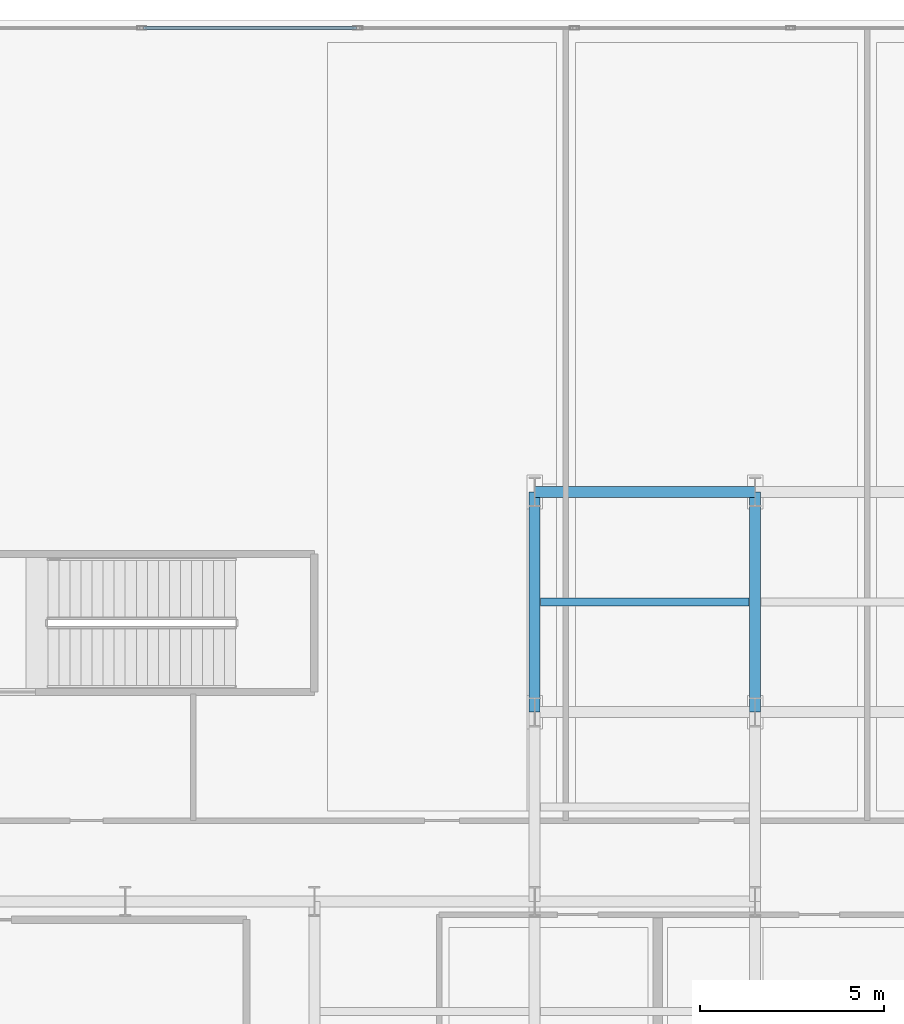
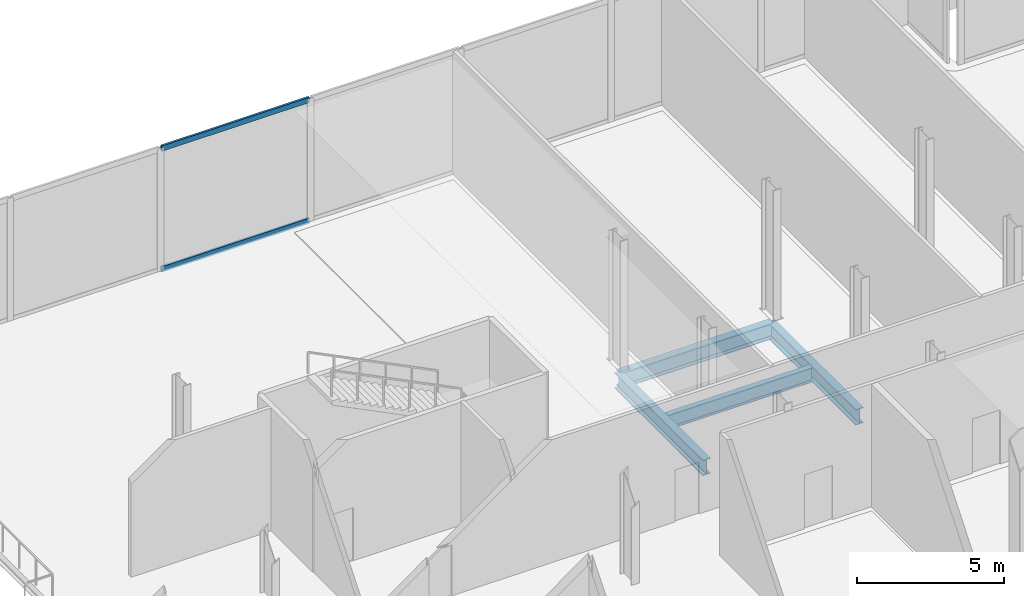
# One storey, part 16 of 28: 4 beams, 2 members, 1 element without a shape of its own.
"""IFC4 building model written with IfcOpenShell, lengths in metres."""

from ifc_helpers import new_model, si_unit, direction, frame, origin, origin_2d, place, context, subcontext, project, spatial, hollow_rectangle, i_section, extrude, material, layer, layer_set, material_profile, profile_set, type_object, element, aggregate, save


model = new_model("IFC4")

# Units and contexts
model_context = context("Model", 3, precision=1e-05, world=origin(), true_north=direction((0.0, 1.0)))
body_context = subcontext(model_context, "Body", "Model", "MODEL_VIEW")
ifc_project = project(units=[si_unit("LENGTHUNIT", "METRE"), si_unit("AREAUNIT", "SQUARE_METRE"), si_unit("VOLUMEUNIT", "CUBIC_METRE"), si_unit("PLANEANGLEUNIT", "RADIAN"), si_unit("MASSUNIT", "GRAM", prefix="KILO"), si_unit("THERMODYNAMICTEMPERATUREUNIT", "KELVIN"), si_unit("POWERUNIT", "WATT")], contexts=[model_context])

# Site, building, storey
site_placement = place(None, origin())
site = spatial("IfcSite", under=ifc_project, at=site_placement, CompositionType="ELEMENT")
building_placement = place(site_placement, origin())
building = spatial("IfcBuilding", under=site, at=building_placement, Name="Svarakhadi Broadcast Tower", CompositionType="ELEMENT")
storey_placement = place(building_placement, frame((0.0, 0.0, 11.10009765625)))
storey = spatial("IfcBuildingStorey", under=building, at=storey_placement, Name="L02", CompositionType="ELEMENT", Elevation=11.10009765625)

# Beam
ifc_material_1 = material(Name="Steel S355J2 (IS 2062 E350C)", Category="steel")
ifc_material_profile_1 = material_profile(ifc_material_1, i_section(OverallWidth=0.219970703125, OverallDepth=0.60009765625, WebThickness=0.011962890625, FlangeThickness=0.01904296875, FilletRadius=0.02392578125, at=origin_2d()), Name="NPB 600x220x122")
ifc_profile_set_1 = profile_set([ifc_material_profile_1], Name="Steel S355J2 (IS 2062 E350C)")
beam_type_1 = type_object("IfcBeamType", Name="Beam_NPB600", PredefinedType="BEAM", material=ifc_profile_set_1)
beam_placement = place(storey_placement, frame((41.31005859375, 32.14990234375, -0.5751953125), z_axis=(1.0, 0.0, 0.0), x_axis=(0.0, 1.0, 0.0)))
element("IfcBeam", 1, at=beam_placement, inside=storey, type_object=beam_type_1, Name="L02 Secondary Composite Beam SB022", PredefinedType="BEAM", context=body_context, shape_type="SweptSolid", body=[
    extrude(i_section(OverallWidth=0.219970703125, OverallDepth=0.60009765625, WebThickness=0.011962890625, FlangeThickness=0.01904296875, FilletRadius=0.02392578125, at=origin_2d()), origin(), (0.0, 0.0, 1.0), 5.679931640625),
])

# Curtain wall, members
ifc_material_2 = material(Name="Anodised Bronze Aluminium AA 6063-T6", Category="aluminium")
ifc_layer = layer(ifc_material_2, 0.25)
ifc_layer_set = layer_set([ifc_layer], Name="Anodised Bronze Aluminium AA 6063-T6")
curtain_wall_type = type_object("IfcCurtainWallType", Name="CW_Sys_01", PredefinedType="NOTDEFINED", material=ifc_layer_set)
curtain_wall_placement = place(storey_placement, origin())
curtain_wall = element("IfcCurtainWall", 2, at=curtain_wall_placement, inside=storey, type_object=curtain_wall_type, Name="L02 Unitised Facade Curtain Wall 05 Bay 2", PredefinedType="NOTDEFINED")
ifc_material_profile_2 = material_profile(ifc_material_2, hollow_rectangle(XDim=0.0849609375, YDim=0.219970703125, WallThickness=0.0048828125, at=origin_2d()), Name="ALU TRANSOM 220x85x5")
ifc_profile_set_2 = profile_set([ifc_material_profile_2], Name="Anodised Bronze Aluminium AA 6063-T6")
member_type = type_object("IfcMemberType", Name="CW_Sys_01_Trn", PredefinedType="USERDEFINED", material=ifc_profile_set_2)
member_1_placement = place(storey_placement, frame((30.4951171875, 47.780029296875, 0.04248046875), z_axis=(1.0, 0.0, 0.0), x_axis=(0.0, 1.0, 0.0)))
member_1 = element("IfcMember", 3, at=member_1_placement, type_object=member_type, Name="CW-01 transom 4.1", ObjectType="TRANSOM", PredefinedType="USERDEFINED", context=body_context, shape_type="SweptSolid", body=[
    extrude(hollow_rectangle(XDim=0.0849609375, YDim=0.219970703125, WallThickness=0.0048828125, at=origin_2d()), origin(), (0.0, 0.0, 1.0), 5.79736328125),
])
member_2_placement = place(storey_placement, frame((30.4951171875, 47.780029296875, 5.057373046875), z_axis=(1.0, 0.0, 0.0), x_axis=(0.0, 1.0, 0.0)))
member_2 = element("IfcMember", 4, at=member_2_placement, type_object=member_type, Name="CW-01 transom 4.2", ObjectType="TRANSOM", PredefinedType="USERDEFINED", context=body_context, shape_type="SweptSolid", body=[
    extrude(hollow_rectangle(XDim=0.0849609375, YDim=0.219970703125, WallThickness=0.0048828125, at=origin_2d()), origin(), (0.0, 0.0, 1.0), 5.79736328125),
])
aggregate(curtain_wall, [member_1, member_2])

# Beams
ifc_material_profile_3 = material_profile(ifc_material_1, i_section(OverallWidth=0.300048828125, OverallDepth=0.64990234375, WebThickness=0.01611328125, FlangeThickness=0.031005859375, FilletRadius=0.027099609375, at=origin_2d()), Name="WPB 650x300x225")
ifc_profile_set_3 = profile_set([ifc_material_profile_3], Name="Steel S355J2 (IS 2062 E350C)")
beam_type_2 = type_object("IfcBeamType", Name="Girder_WPB650", PredefinedType="USERDEFINED", material=ifc_profile_set_3)
for number, where, z_axis, x_axis, name in (
    (5, (41.14990234375, 35.14990234375, -0.60009765625), (1.0, 0.0, 0.0), (0.0, 1.0, 0.0), "L02 Primary E-W Girder G038"),
    (6, (41.14990234375, 29.14990234375, -0.60009765625), (0.0, 1.0, 0.0), (-1.0, 0.0, 0.0), "L02 Primary N-S Girder G077"),
    (7, (47.14990234375, 29.14990234375, -0.60009765625), (0.0, 1.0, 0.0), (-1.0, 0.0, 0.0), "L02 Primary N-S Girder G082"),
):
    element("IfcBeam", number, at=place(storey_placement, frame(where, z_axis=z_axis, x_axis=x_axis)), inside=storey, type_object=beam_type_2, Name=name, ObjectType="GIRDER", PredefinedType="USERDEFINED", context=body_context, shape_type="SweptSolid", body=[
        extrude(i_section(OverallWidth=0.300048828125, OverallDepth=0.64990234375, WebThickness=0.01611328125, FlangeThickness=0.031005859375, FilletRadius=0.027099609375, at=origin_2d()), origin(), (0.0, 0.0, 1.0), 6.0),
    ])

save(model, "model.ifc")
